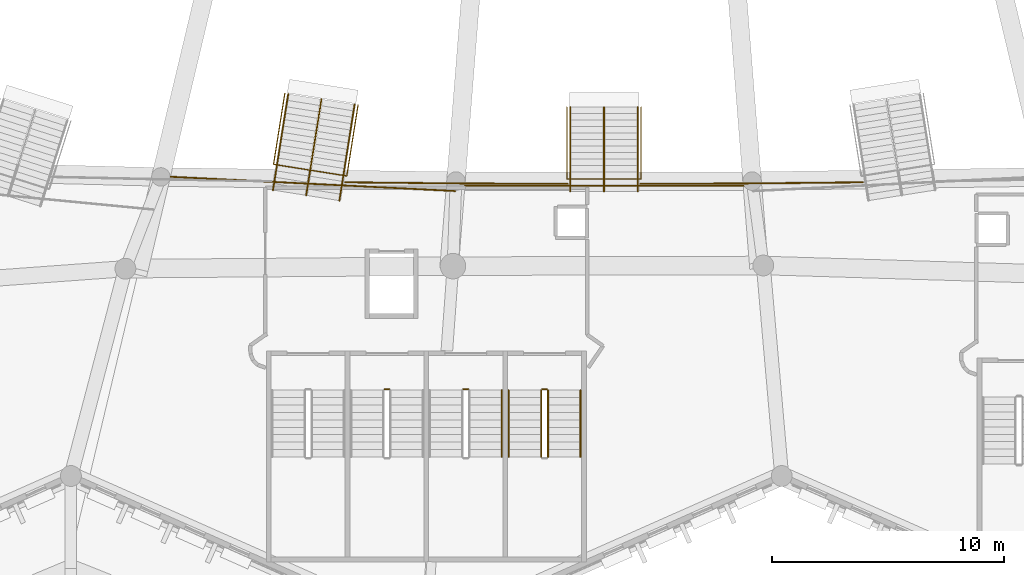
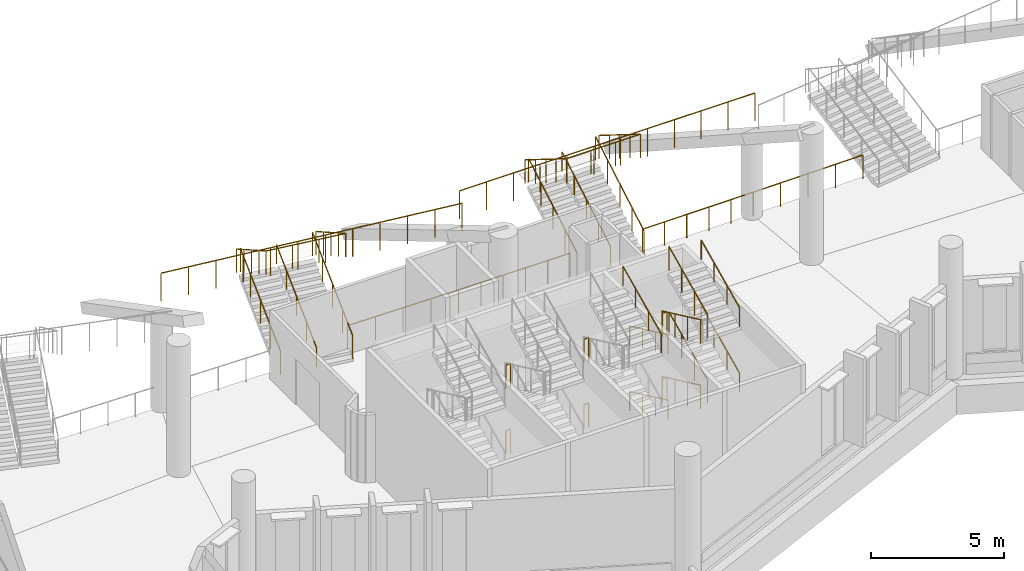
# One storey, part 119 of 173: 27 railings.
"""IFC4 building model written with IfcOpenShell, lengths in metres."""

import ifcopenshell
import ifcopenshell.guid

model = None  # the IFC model being written
_history = None  # IfcOwnerHistory: only IFC2X3 demands one
_inside = {}  # id of a spatial element -> (the spatial element, [elements in it])
_under = {}  # id of a project, library or spatial element -> (it, [spatial elements below it])
_declared = {}  # id of a project -> (the project, [libraries it declares])
_typed = {}  # id of a type object -> (the type object, [elements of that type])
_made_of = {}  # id of a material, layer set ... -> (it, [elements and type objects made of it])


def new_model(schema):
    """Start an empty IFC model of exactly this schema.

    Asked for "IFC4X3", IfcOpenShell would pick the latest addendum, in which some entities
    have other attributes; the version numbers below select the first issue.
    IFC2X3 requires an IfcOwnerHistory on every rooted entity: one is made here for all.
    """
    global model, _history
    if schema == "IFC4X3":
        model = ifcopenshell.file(schema_version=(4, 3, 0, 0))
    else:
        model = ifcopenshell.file(schema=schema)
    _inside.clear()
    _under.clear()
    _declared.clear()
    _typed.clear()
    _made_of.clear()
    _history = None
    if model.schema == "IFC2X3":
        org = make("IfcOrganization", Name="unknown")
        user = make(
            "IfcPersonAndOrganization",
            ThePerson=make("IfcPerson", FamilyName="unknown"),
            TheOrganization=org,
        )
        app = make(
            "IfcApplication",
            ApplicationDeveloper=org,
            Version="unknown",
            ApplicationFullName="unknown",
            ApplicationIdentifier="unknown",
        )
        _history = make(
            "IfcOwnerHistory",
            OwningUser=user,
            OwningApplication=app,
            ChangeAction="ADDED",
            CreationDate=0,
        )
    return model


def make(cls, **values):
    """One entity of the class cls with the attributes given. An attribute that is None is left unset."""
    return model.create_entity(
        cls, **{name: value for name, value in values.items() if value is not None}
    )


def rooted(cls, **values):
    """An entity with a GlobalId (a new one), such as an element, a storey or a relation."""
    return make(cls, GlobalId=ifcopenshell.guid.new(), OwnerHistory=_history, **values)


def si_unit(unit_type, name, prefix=None):
    """IfcSIUnit, for example si_unit("LENGTHUNIT", "METRE", prefix="MILLI")."""
    return make("IfcSIUnit", UnitType=unit_type, Prefix=prefix, Name=name)


def assignment(units):
    """IfcUnitAssignment: the units of a project."""
    return None if units is None else make("IfcUnitAssignment", Units=units)


def point(xyz):
    """IfcCartesianPoint."""
    return None if xyz is None else make("IfcCartesianPoint", Coordinates=xyz)


def direction(xyz):
    """IfcDirection."""
    return None if xyz is None else make("IfcDirection", DirectionRatios=xyz)


def frame(location, z_axis=None, x_axis=None):
    """IfcAxis2Placement3D, a coordinate frame: its origin and axes. An axis left out is left unset."""
    return make(
        "IfcAxis2Placement3D",
        Location=point(location),
        Axis=direction(z_axis),
        RefDirection=direction(x_axis),
    )


def frame_2d(location, x_axis=None):
    """IfcAxis2Placement2D, a coordinate frame in the plane: its origin and x axis."""
    return make(
        "IfcAxis2Placement2D", Location=point(location), RefDirection=direction(x_axis)
    )


def origin():
    """The frame at (0, 0, 0) with its axes left unset."""
    return frame((0.0, 0.0, 0.0))


def origin_2d():
    """The frame at (0, 0) in the plane with its x axis left unset."""
    return frame_2d((0.0, 0.0))


def place(relative_to, where):
    """IfcLocalPlacement: puts the frame where relative to a parent placement (None: the world)."""
    return make(
        "IfcLocalPlacement", PlacementRelTo=relative_to, RelativePlacement=where
    )


def context(
    kind, dimensions, precision=None, world=None, true_north=None, identifier=None
):
    """IfcGeometricRepresentationContext, for example the 3D "Model" context."""
    return make(
        "IfcGeometricRepresentationContext",
        ContextIdentifier=identifier,
        ContextType=kind,
        CoordinateSpaceDimension=dimensions,
        Precision=precision,
        WorldCoordinateSystem=world,
        TrueNorth=true_north,
    )


def subcontext(parent, identifier, kind, view, scale=None):
    """IfcGeometricRepresentationSubContext, for example "Body" below "Model"."""
    return make(
        "IfcGeometricRepresentationSubContext",
        ContextIdentifier=identifier,
        ContextType=kind,
        ParentContext=parent,
        TargetScale=scale,
        TargetView=view,
    )


def project(units=None, contexts=None):
    """IfcProject with its units and contexts."""
    return rooted(
        "IfcProject",
        Name="project",
        RepresentationContexts=contexts,
        UnitsInContext=assignment(units),
    )


def spatial(cls, under=None, at=None, **own):
    """A site, building, storey or space (cls), placed at a placement, below another one or the project."""
    s = rooted(cls, ObjectPlacement=at, **own)
    if under is not None:
        _under.setdefault(under.id(), (under, []))[1].append(s)
    return s


def profile(cls, at=None, kind="AREA", **sizes):
    """A parametric profile (cls). Its sizes go by their IFC names, for example OverallWidth=200.0."""
    return make(cls, ProfileType=kind, Position=at, **sizes)


def circle(**sizes):
    """IfcCircleProfileDef."""
    return profile("IfcCircleProfileDef", **sizes)


def extrude(swept, where, along, depth):
    """IfcExtrudedAreaSolid: the profile swept, set in the frame where, extruded along a direction by depth."""
    return make(
        "IfcExtrudedAreaSolid",
        SweptArea=swept,
        Position=where,
        ExtrudedDirection=direction(along),
        Depth=depth,
    )


def shape(context_of_items, identifier, shape_type, items):
    """IfcShapeRepresentation: the items that make up one representation, for example the "Body"."""
    return make(
        "IfcShapeRepresentation",
        ContextOfItems=context_of_items,
        RepresentationIdentifier=identifier,
        RepresentationType=shape_type,
        Items=items,
    )


def material(Name=None, Category=None):
    """IfcMaterial."""
    return make("IfcMaterial", Name=Name, Category=Category)


def made_of(thing, what):
    """Note that an element or type object is made of a material, layer set ...; save() writes the relation."""
    if what is not None:
        _made_of.setdefault(what.id(), (what, []))[1].append(thing)
    return thing


def type_object(cls, material=None, **own):
    """A type object (cls), such as IfcWallType, which elements share."""
    return made_of(rooted(cls, **own), material)


def element(
    cls,
    number,
    at=None,
    inside=None,
    cuts=None,
    type_object=None,
    material=None,
    context=None,
    identifier="Body",
    shape_type=None,
    held_by="IfcProductDefinitionShape",
    body=None,
    shapes=None,
    **own,
):
    """One element of the class cls, such as IfcWall. Its Tag is "e" and its number.

    at: its placement. inside: the storey or other place that contains it. cuts: it is an
    opening in that element (IfcRelVoidsElement). A single representation is given by context,
    identifier, shape_type and body (its items); several are given by shapes. held_by: the class
    of the entity that holds the representations. save() writes the other relations.
    """
    e = rooted(cls, Tag="e%d" % number, ObjectPlacement=at, **own)
    if body is not None:
        shapes = [shape(context, identifier, shape_type, body)]
    if shapes is not None:
        e.Representation = make(held_by, Representations=shapes)
    if inside is not None:
        _inside.setdefault(inside.id(), (inside, []))[1].append(e)
    if cuts is not None:
        rooted(
            "IfcRelVoidsElement", RelatingBuildingElement=cuts, RelatedOpeningElement=e
        )
    if type_object is not None:
        _typed.setdefault(type_object.id(), (type_object, []))[1].append(e)
    return made_of(e, material)


def aggregate(whole, parts):
    """IfcRelAggregates: a whole, such as a stair, and the parts it consists of."""
    return rooted("IfcRelAggregates", RelatingObject=whole, RelatedObjects=parts)


def save(model, path):
    """Write the relations noted so far, then the file.

    IfcRelAggregates (storeys below a building ...), IfcRelContainedInSpatialStructure (elements
    in a storey), IfcRelDefinesByType, IfcRelAssociatesMaterial and IfcRelDeclares: one each for
    every whole, place, type object, material and project.
    """
    for whole, parts in _under.values():
        aggregate(whole, parts)
    for where, things in _inside.values():
        rooted(
            "IfcRelContainedInSpatialStructure",
            RelatedElements=things,
            RelatingStructure=where,
        )
    for kind, things in _typed.values():
        rooted("IfcRelDefinesByType", RelatedObjects=things, RelatingType=kind)
    for what, things in _made_of.values():
        rooted("IfcRelAssociatesMaterial", RelatedObjects=things, RelatingMaterial=what)
    for by, libraries in _declared.values():
        rooted("IfcRelDeclares", RelatingContext=by, RelatedDefinitions=libraries)
    model.write(path)


model = new_model("IFC4")

# Units and contexts
model_context = context("Model", 3, precision=1e-05, world=origin(), true_north=direction((0.0, 1.0)))
body_context = subcontext(model_context, "Body", "Model", "MODEL_VIEW")
ifc_project = project(units=[si_unit("LENGTHUNIT", "METRE"), si_unit("AREAUNIT", "SQUARE_METRE"), si_unit("VOLUMEUNIT", "CUBIC_METRE"), si_unit("PLANEANGLEUNIT", "RADIAN"), si_unit("MASSUNIT", "GRAM", prefix="KILO")], contexts=[model_context])

# Site, building, storey
site_placement = place(None, origin())
site = spatial("IfcSite", under=ifc_project, at=site_placement, CompositionType="ELEMENT")
building_placement = place(site_placement, origin())
building = spatial("IfcBuilding", under=site, at=building_placement, Name="Meseta Stadium", CompositionType="ELEMENT")
storey_placement = place(building_placement, frame((0.0, 0.0, 18.0)))
storey = spatial("IfcBuildingStorey", under=building, at=storey_placement, Name="L03", CompositionType="ELEMENT", Elevation=18.0)

# Railings
ifc_material_1 = material(Name="Steel S355", Category="steel")
railing_type_1 = type_object("IfcRailingType", Name="Plate edge guard 1100", PredefinedType="GUARDRAIL", material=ifc_material_1)
railing_1_placement = place(storey_placement, frame((-11.171142578125, -85.928955078125, 0.0)))
element("IfcRailing", 1, at=railing_1_placement, inside=storey, type_object=railing_type_1, Name="L03 inner edge guard 47", PredefinedType="GUARDRAIL", context=body_context, shape_type="SweptSolid", body=[
    extrude(circle(Radius=0.02490234375, at=origin_2d()), frame((0.0, 0.0, 1.0751953125), z_axis=(0.999949968022, -0.010003072206, 0.0), x_axis=(0.010003072206, 0.999949968022, 0.0)), (0.0, 0.0, 1.0), 4.78369140625),
    extrude(circle(Radius=0.02490234375, at=origin_2d()), frame((4.783447265625, -0.0478515625, 1.0751953125), z_axis=(0.999990281126, -0.004408815409, 0.0), x_axis=(0.004408815409, 0.999990281126, 0.0)), (0.0, 0.0, 1.0), 4.817626953125),
    extrude(circle(Radius=0.02001953125, at=origin_2d()), origin(), (0.0, 0.0, 1.0), 1.050048828125),
    extrude(circle(Radius=0.02001953125, at=origin_2d()), frame((1.19580078125, -0.011962890625, 0.0)), (0.0, 0.0, 1.0), 1.050048828125),
    extrude(circle(Radius=0.02001953125, at=origin_2d()), frame((2.3916015625, -0.02392578125, 0.0)), (0.0, 0.0, 1.0), 1.050048828125),
    extrude(circle(Radius=0.02001953125, at=origin_2d()), frame((3.587646484375, -0.035888671875, 0.0)), (0.0, 0.0, 1.0), 1.050048828125),
    extrude(circle(Radius=0.02001953125, at=origin_2d()), frame((4.783447265625, -0.0478515625, 0.0)), (0.0, 0.0, 1.0), 1.050048828125),
    extrude(circle(Radius=0.02001953125, at=origin_2d()), frame((5.7470703125, -0.052001953125, 0.0)), (0.0, 0.0, 1.0), 1.050048828125),
    extrude(circle(Radius=0.02001953125, at=origin_2d()), frame((6.71044921875, -0.056396484375, 0.0)), (0.0, 0.0, 1.0), 1.050048828125),
    extrude(circle(Radius=0.02001953125, at=origin_2d()), frame((7.674072265625, -0.060546875, 0.0)), (0.0, 0.0, 1.0), 1.050048828125),
    extrude(circle(Radius=0.02001953125, at=origin_2d()), frame((8.637451171875, -0.06494140625, 0.0)), (0.0, 0.0, 1.0), 1.050048828125),
    extrude(circle(Radius=0.02001953125, at=origin_2d()), frame((9.60107421875, -0.069091796875, 0.0)), (0.0, 0.0, 1.0), 1.050048828125),
])
railing_2_placement = place(storey_placement, frame((1.570068359375, -85.998046875, 0.0)))
element("IfcRailing", 2, at=railing_2_placement, inside=storey, type_object=railing_type_1, Name="L03 inner edge guard 48", PredefinedType="GUARDRAIL", context=body_context, shape_type="SweptSolid", body=[
    extrude(circle(Radius=0.02490234375, at=origin_2d()), frame((0.0, 0.0, 1.0751953125), z_axis=(0.999990281126, 0.004408815409, 0.0), x_axis=(-0.004408815409, 0.999990281126, 0.0)), (0.0, 0.0, 1.0), 4.817626953125),
    extrude(circle(Radius=0.02490234375, at=origin_2d()), frame((4.817626953125, 0.021240234375, 1.0751953125), z_axis=(0.999949968022, 0.010003072206, 0.0), x_axis=(-0.010003072206, 0.999949968022, 0.0)), (0.0, 0.0, 1.0), 4.78369140625),
    extrude(circle(Radius=0.02001953125, at=origin_2d()), origin(), (0.0, 0.0, 1.0), 1.050048828125),
    extrude(circle(Radius=0.02001953125, at=origin_2d()), frame((0.963623046875, 0.004150390625, 0.0)), (0.0, 0.0, 1.0), 1.050048828125),
    extrude(circle(Radius=0.02001953125, at=origin_2d()), frame((1.927001953125, 0.008544921875, 0.0)), (0.0, 0.0, 1.0), 1.050048828125),
    extrude(circle(Radius=0.02001953125, at=origin_2d()), frame((2.890625, 0.0126953125, 0.0)), (0.0, 0.0, 1.0), 1.050048828125),
    extrude(circle(Radius=0.02001953125, at=origin_2d()), frame((3.85400390625, 0.01708984375, 0.0)), (0.0, 0.0, 1.0), 1.050048828125),
    extrude(circle(Radius=0.02001953125, at=origin_2d()), frame((4.817626953125, 0.021240234375, 0.0)), (0.0, 0.0, 1.0), 1.050048828125),
    extrude(circle(Radius=0.02001953125, at=origin_2d()), frame((6.013427734375, 0.033203125, 0.0)), (0.0, 0.0, 1.0), 1.050048828125),
    extrude(circle(Radius=0.02001953125, at=origin_2d()), frame((7.20947265625, 0.045166015625, 0.0)), (0.0, 0.0, 1.0), 1.050048828125),
    extrude(circle(Radius=0.02001953125, at=origin_2d()), frame((8.4052734375, 0.05712890625, 0.0)), (0.0, 0.0, 1.0), 1.050048828125),
    extrude(circle(Radius=0.02001953125, at=origin_2d()), frame((9.60107421875, 0.069091796875, 0.0)), (0.0, 0.0, 1.0), 1.050048828125),
])
ifc_material_2 = material(Name="Steel S355", Category="steel")
railing_type_2 = type_object("IfcRailingType", Name="Stair guard 1100", PredefinedType="GUARDRAIL", material=ifc_material_2)
for number, where, name in (
    (3, (-9.466552734375, -94.85009765625, 3.0), "ST94 L03 guard 4"),
    (4, (-9.466552734375, -94.85009765625, 0.0), "ST94 L03 guard 8"),
    (5, (-6.066650390625, -94.85009765625, 3.0), "ST95 L03 guard 4"),
    (6, (-6.066650390625, -94.85009765625, 0.0), "ST95 L03 guard 8"),
):
    element("IfcRailing", number, at=place(storey_placement, frame(where)), inside=storey, type_object=railing_type_2, Name=name, PredefinedType="GUARDRAIL", context=body_context, shape_type="SweptSolid", body=[
        extrude(circle(Radius=0.02392578125, at=origin_2d()), frame((0.0, 0.0, 1.076171875), z_axis=(1.0, 0.0, 0.0), x_axis=(0.0, 1.0, 0.0)), (0.0, 0.0, 1.0), 0.199951171875),
        extrude(circle(Radius=0.02099609375, at=origin_2d()), origin(), (0.0, 0.0, 1.0), 1.052001953125),
        extrude(circle(Radius=0.02099609375, at=origin_2d()), frame((0.199951171875, 0.0, 0.0)), (0.0, 0.0, 1.0), 1.052001953125),
    ])
railing_3_placement = place(storey_placement, frame((-2.716552734375, -94.89990234375, 0.14990234375)))
element("IfcRailing", 7, at=railing_3_placement, inside=storey, type_object=railing_type_2, Name="ST96 L03 guard 1", PredefinedType="GUARDRAIL", context=body_context, shape_type="SweptSolid", body=[
    extrude(circle(Radius=0.02392578125, at=origin_2d()), frame((0.0, 0.0, 1.076171875), z_axis=(0.0, -0.905454327043, 0.424443708447), x_axis=(1.0, 0.0, 0.0)), (0.0, 0.0, 1.0), 3.180908203125),
    extrude(circle(Radius=0.02099609375, at=origin_2d()), origin(), (0.0, 0.0, 1.0), 1.052001953125),
    extrude(circle(Radius=0.02099609375, at=origin_2d()), frame((0.0, -0.9599609375, 0.449951171875)), (0.0, 0.0, 1.0), 1.052001953125),
    extrude(circle(Radius=0.02099609375, at=origin_2d()), frame((0.0, -1.920166015625, 0.900146484375)), (0.0, 0.0, 1.0), 1.052001953125),
    extrude(circle(Radius=0.02099609375, at=origin_2d()), frame((0.0, -2.880126953125, 1.35009765625)), (0.0, 0.0, 1.0), 1.052001953125),
])
railing_4_placement = place(storey_placement, frame((-2.416748046875, -97.780029296875, 1.64990234375)))
element("IfcRailing", 8, at=railing_4_placement, inside=storey, type_object=railing_type_2, Name="ST96 L03 guard 3", PredefinedType="GUARDRAIL", context=body_context, shape_type="SweptSolid", body=[
    extrude(circle(Radius=0.02392578125, at=origin_2d()), frame((0.0, 0.0, 1.076171875), z_axis=(0.0, 0.905454327043, 0.424443708447), x_axis=(-1.0, 0.0, 0.0)), (0.0, 0.0, 1.0), 3.180908203125),
    extrude(circle(Radius=0.02099609375, at=origin_2d()), origin(), (0.0, 0.0, 1.0), 1.052001953125),
    extrude(circle(Radius=0.02099609375, at=origin_2d()), frame((0.0, 0.9599609375, 0.449951171875)), (0.0, 0.0, 1.0), 1.052001953125),
    extrude(circle(Radius=0.02099609375, at=origin_2d()), frame((0.0, 1.920166015625, 0.900146484375)), (0.0, 0.0, 1.0), 1.052001953125),
    extrude(circle(Radius=0.02099609375, at=origin_2d()), frame((0.0, 2.880126953125, 1.35009765625)), (0.0, 0.0, 1.0), 1.052001953125),
])
railing_5_placement = place(storey_placement, frame((-2.666748046875, -94.85009765625, 3.0)))
element("IfcRailing", 9, at=railing_5_placement, inside=storey, type_object=railing_type_2, Name="ST96 L03 guard 4", PredefinedType="GUARDRAIL", context=body_context, shape_type="SweptSolid", body=[
    extrude(circle(Radius=0.02392578125, at=origin_2d()), frame((0.0, 0.0, 1.076171875), z_axis=(1.0, 0.0, 0.0), x_axis=(0.0, 1.0, 0.0)), (0.0, 0.0, 1.0), 0.2001953125),
    extrude(circle(Radius=0.02099609375, at=origin_2d()), origin(), (0.0, 0.0, 1.0), 1.052001953125),
    extrude(circle(Radius=0.02099609375, at=origin_2d()), frame((0.2001953125, 0.0, 0.0)), (0.0, 0.0, 1.0), 1.052001953125),
])
railing_6_placement = place(storey_placement, frame((-2.716552734375, -94.89990234375, 3.14990234375)))
element("IfcRailing", 10, at=railing_6_placement, inside=storey, type_object=railing_type_2, Name="ST96 L03 guard 5", PredefinedType="GUARDRAIL", context=body_context, shape_type="SweptSolid", body=[
    extrude(circle(Radius=0.02392578125, at=origin_2d()), frame((0.0, 0.0, 1.076171875), z_axis=(0.0, -0.905454327043, 0.424443708447), x_axis=(1.0, 0.0, 0.0)), (0.0, 0.0, 1.0), 3.180908203125),
    extrude(circle(Radius=0.02099609375, at=origin_2d()), origin(), (0.0, 0.0, 1.0), 1.052001953125),
    extrude(circle(Radius=0.02099609375, at=origin_2d()), frame((0.0, -0.9599609375, 0.449951171875)), (0.0, 0.0, 1.0), 1.052001953125),
    extrude(circle(Radius=0.02099609375, at=origin_2d()), frame((0.0, -1.920166015625, 0.900146484375)), (0.0, 0.0, 1.0), 1.052001953125),
    extrude(circle(Radius=0.02099609375, at=origin_2d()), frame((0.0, -2.880126953125, 1.35009765625)), (0.0, 0.0, 1.0), 1.052001953125),
])
railing_7_placement = place(storey_placement, frame((-2.416748046875, -97.780029296875, 4.64990234375)))
element("IfcRailing", 11, at=railing_7_placement, inside=storey, type_object=railing_type_2, Name="ST96 L03 guard 7", PredefinedType="GUARDRAIL", context=body_context, shape_type="SweptSolid", body=[
    extrude(circle(Radius=0.02392578125, at=origin_2d()), frame((0.0, 0.0, 1.076171875), z_axis=(0.0, 0.905454327043, 0.424443708447), x_axis=(-1.0, 0.0, 0.0)), (0.0, 0.0, 1.0), 3.180908203125),
    extrude(circle(Radius=0.02099609375, at=origin_2d()), origin(), (0.0, 0.0, 1.0), 1.052001953125),
    extrude(circle(Radius=0.02099609375, at=origin_2d()), frame((0.0, 0.9599609375, 0.449951171875)), (0.0, 0.0, 1.0), 1.052001953125),
    extrude(circle(Radius=0.02099609375, at=origin_2d()), frame((0.0, 1.920166015625, 0.900146484375)), (0.0, 0.0, 1.0), 1.052001953125),
    extrude(circle(Radius=0.02099609375, at=origin_2d()), frame((0.0, 2.880126953125, 1.35009765625)), (0.0, 0.0, 1.0), 1.052001953125),
])
railing_8_placement = place(storey_placement, frame((-2.666748046875, -94.85009765625, 0.0)))
element("IfcRailing", 12, at=railing_8_placement, inside=storey, type_object=railing_type_2, Name="ST96 L03 guard 8", PredefinedType="GUARDRAIL", context=body_context, shape_type="SweptSolid", body=[
    extrude(circle(Radius=0.02392578125, at=origin_2d()), frame((0.0, 0.0, 1.076171875), z_axis=(1.0, 0.0, 0.0), x_axis=(0.0, 1.0, 0.0)), (0.0, 0.0, 1.0), 0.2001953125),
    extrude(circle(Radius=0.02099609375, at=origin_2d()), origin(), (0.0, 0.0, 1.0), 1.052001953125),
    extrude(circle(Radius=0.02099609375, at=origin_2d()), frame((0.2001953125, 0.0, 0.0)), (0.0, 0.0, 1.0), 1.052001953125),
])
ifc_material_3 = material(Name="Steel S355", Category="steel")
railing_type_3 = type_object("IfcRailingType", Name="Stair handrail 900", PredefinedType="HANDRAIL", material=ifc_material_3)
railing_9_placement = place(storey_placement, frame((-4.416748046875, -97.780029296875, 4.64990234375)))
element("IfcRailing", 13, at=railing_9_placement, inside=storey, type_object=railing_type_3, Name="ST95 L03 handrail 4", PredefinedType="HANDRAIL", context=body_context, shape_type="SweptSolid", body=[
    extrude(circle(Radius=0.02392578125, at=origin_2d()), frame((0.0, 0.0, 0.8759765625), z_axis=(0.0, 0.905454327043, 0.424443708447), x_axis=(-1.0, 0.0, 0.0)), (0.0, 0.0, 1.0), 3.180908203125),
    extrude(circle(Radius=0.02099609375, at=origin_2d()), origin(), (0.0, 0.0, 1.0), 0.851806640625),
    extrude(circle(Radius=0.02099609375, at=origin_2d()), frame((0.0, 0.9599609375, 0.449951171875)), (0.0, 0.0, 1.0), 0.851806640625),
    extrude(circle(Radius=0.02099609375, at=origin_2d()), frame((0.0, 1.920166015625, 0.900146484375)), (0.0, 0.0, 1.0), 0.851806640625),
    extrude(circle(Radius=0.02099609375, at=origin_2d()), frame((0.0, 2.880126953125, 1.35009765625)), (0.0, 0.0, 1.0), 0.851806640625),
])
railing_10_placement = place(storey_placement, frame((-4.11669921875, -94.89990234375, 0.14990234375)))
element("IfcRailing", 14, at=railing_10_placement, inside=storey, type_object=railing_type_3, Name="ST96 L03 handrail 1", PredefinedType="HANDRAIL", context=body_context, shape_type="SweptSolid", body=[
    extrude(circle(Radius=0.02392578125, at=origin_2d()), frame((0.0, 0.0, 0.8759765625), z_axis=(0.0, -0.905454327043, 0.424443708447), x_axis=(1.0, 0.0, 0.0)), (0.0, 0.0, 1.0), 3.180908203125),
    extrude(circle(Radius=0.02099609375, at=origin_2d()), origin(), (0.0, 0.0, 1.0), 0.851806640625),
    extrude(circle(Radius=0.02099609375, at=origin_2d()), frame((0.0, -0.9599609375, 0.449951171875)), (0.0, 0.0, 1.0), 0.851806640625),
    extrude(circle(Radius=0.02099609375, at=origin_2d()), frame((0.0, -1.920166015625, 0.900146484375)), (0.0, 0.0, 1.0), 0.851806640625),
    extrude(circle(Radius=0.02099609375, at=origin_2d()), frame((0.0, -2.880126953125, 1.35009765625)), (0.0, 0.0, 1.0), 0.851806640625),
])
railing_11_placement = place(storey_placement, frame((-1.0166015625, -97.780029296875, 1.64990234375)))
element("IfcRailing", 15, at=railing_11_placement, inside=storey, type_object=railing_type_3, Name="ST96 L03 handrail 2", PredefinedType="HANDRAIL", context=body_context, shape_type="SweptSolid", body=[
    extrude(circle(Radius=0.02392578125, at=origin_2d()), frame((0.0, 0.0, 0.8759765625), z_axis=(0.0, 0.905454327043, 0.424443708447), x_axis=(-1.0, 0.0, 0.0)), (0.0, 0.0, 1.0), 3.180908203125),
    extrude(circle(Radius=0.02099609375, at=origin_2d()), origin(), (0.0, 0.0, 1.0), 0.851806640625),
    extrude(circle(Radius=0.02099609375, at=origin_2d()), frame((0.0, 0.9599609375, 0.449951171875)), (0.0, 0.0, 1.0), 0.851806640625),
    extrude(circle(Radius=0.02099609375, at=origin_2d()), frame((0.0, 1.920166015625, 0.900146484375)), (0.0, 0.0, 1.0), 0.851806640625),
    extrude(circle(Radius=0.02099609375, at=origin_2d()), frame((0.0, 2.880126953125, 1.35009765625)), (0.0, 0.0, 1.0), 0.851806640625),
])
railing_12_placement = place(storey_placement, frame((-4.11669921875, -94.89990234375, 3.14990234375)))
element("IfcRailing", 16, at=railing_12_placement, inside=storey, type_object=railing_type_3, Name="ST96 L03 handrail 3", PredefinedType="HANDRAIL", context=body_context, shape_type="SweptSolid", body=[
    extrude(circle(Radius=0.02392578125, at=origin_2d()), frame((0.0, 0.0, 0.8759765625), z_axis=(0.0, -0.905454327043, 0.424443708447), x_axis=(1.0, 0.0, 0.0)), (0.0, 0.0, 1.0), 3.180908203125),
    extrude(circle(Radius=0.02099609375, at=origin_2d()), origin(), (0.0, 0.0, 1.0), 0.851806640625),
    extrude(circle(Radius=0.02099609375, at=origin_2d()), frame((0.0, -0.9599609375, 0.449951171875)), (0.0, 0.0, 1.0), 0.851806640625),
    extrude(circle(Radius=0.02099609375, at=origin_2d()), frame((0.0, -1.920166015625, 0.900146484375)), (0.0, 0.0, 1.0), 0.851806640625),
    extrude(circle(Radius=0.02099609375, at=origin_2d()), frame((0.0, -2.880126953125, 1.35009765625)), (0.0, 0.0, 1.0), 0.851806640625),
])
railing_13_placement = place(storey_placement, frame((-1.0166015625, -97.780029296875, 4.64990234375)))
element("IfcRailing", 17, at=railing_13_placement, inside=storey, type_object=railing_type_3, Name="ST96 L03 handrail 4", PredefinedType="HANDRAIL", context=body_context, shape_type="SweptSolid", body=[
    extrude(circle(Radius=0.02392578125, at=origin_2d()), frame((0.0, 0.0, 0.8759765625), z_axis=(0.0, 0.905454327043, 0.424443708447), x_axis=(-1.0, 0.0, 0.0)), (0.0, 0.0, 1.0), 3.180908203125),
    extrude(circle(Radius=0.02099609375, at=origin_2d()), origin(), (0.0, 0.0, 1.0), 0.851806640625),
    extrude(circle(Radius=0.02099609375, at=origin_2d()), frame((0.0, 0.9599609375, 0.449951171875)), (0.0, 0.0, 1.0), 0.851806640625),
    extrude(circle(Radius=0.02099609375, at=origin_2d()), frame((0.0, 1.920166015625, 0.900146484375)), (0.0, 0.0, 1.0), 0.851806640625),
    extrude(circle(Radius=0.02099609375, at=origin_2d()), frame((0.0, 2.880126953125, 1.35009765625)), (0.0, 0.0, 1.0), 0.851806640625),
])
ifc_material_4 = material(Name="Steel S355", Category="steel")
railing_type_4 = type_object("IfcRailingType", Name="Stand rear guard 1300", PredefinedType="GUARDRAIL", material=ifc_material_4)
railing_14_placement = place(storey_placement, frame((-19.11181640625, -85.669921875, 4.8291015625)))
element("IfcRailing", 18, at=railing_14_placement, inside=storey, type_object=railing_type_4, Name="Stand upper tier rear guard bay 46", PredefinedType="GUARDRAIL", context=body_context, shape_type="SweptSolid", body=[
    extrude(circle(Radius=0.02490234375, at=origin_2d()), frame((0.0, 0.0, 1.27490234375), z_axis=(0.996516209228, -0.04984306383, -0.066866387168), x_axis=(0.049954865883, 0.998751476282, 0.0)), (0.0, 0.0, 1.0), 12.7353515625),
    extrude(circle(Radius=0.02001953125, at=origin_2d()), origin(), (0.0, 0.0, 1.0), 1.25),
    extrude(circle(Radius=0.02001953125, at=origin_2d()), frame((1.15380859375, -0.0576171875, -0.077392578125)), (0.0, 0.0, 1.0), 1.25),
    extrude(circle(Radius=0.02001953125, at=origin_2d()), frame((2.307373046875, -0.115478515625, -0.15478515625)), (0.0, 0.0, 1.0), 1.25),
    extrude(circle(Radius=0.02001953125, at=origin_2d()), frame((3.461181640625, -0.173095703125, -0.232177734375)), (0.0, 0.0, 1.0), 1.25),
    extrude(circle(Radius=0.02001953125, at=origin_2d()), frame((4.614990234375, -0.230712890625, -0.3095703125)), (0.0, 0.0, 1.0), 1.25),
    extrude(circle(Radius=0.02001953125, at=origin_2d()), frame((5.7685546875, -0.28857421875, -0.386962890625)), (0.0, 0.0, 1.0), 1.25),
    extrude(circle(Radius=0.02001953125, at=origin_2d()), frame((6.92236328125, -0.34619140625, -0.464599609375)), (0.0, 0.0, 1.0), 1.25),
    extrude(circle(Radius=0.02001953125, at=origin_2d()), frame((8.075927734375, -0.404052734375, -0.5419921875)), (0.0, 0.0, 1.0), 1.25),
    extrude(circle(Radius=0.02001953125, at=origin_2d()), frame((9.229736328125, -0.461669921875, -0.619384765625)), (0.0, 0.0, 1.0), 1.25),
    extrude(circle(Radius=0.02001953125, at=origin_2d()), frame((10.383544921875, -0.519287109375, -0.69677734375)), (0.0, 0.0, 1.0), 1.25),
    extrude(circle(Radius=0.02001953125, at=origin_2d()), frame((11.537109375, -0.5771484375, -0.774169921875)), (0.0, 0.0, 1.0), 1.25),
    extrude(circle(Radius=0.02001953125, at=origin_2d()), frame((12.69091796875, -0.634765625, -0.8515625)), (0.0, 0.0, 1.0), 1.25),
])
railing_15_placement = place(storey_placement, frame((-6.40283203125, -86.076171875, 4.401611328125)))
element("IfcRailing", 19, at=railing_15_placement, inside=storey, type_object=railing_type_4, Name="Stand upper tier rear guard bay 47", PredefinedType="GUARDRAIL", context=body_context, shape_type="SweptSolid", body=[
    extrude(circle(Radius=0.02490234375, at=origin_2d()), frame((0.0, 0.0, 1.27490234375), z_axis=(1.0, 0.0, 0.0), x_axis=(0.0, 1.0, 0.0)), (0.0, 0.0, 1.0), 12.8056640625),
    extrude(circle(Radius=0.02001953125, at=origin_2d()), origin(), (0.0, 0.0, 1.0), 1.25),
    extrude(circle(Radius=0.02001953125, at=origin_2d()), frame((1.1640625, 0.0, 0.0)), (0.0, 0.0, 1.0), 1.25),
    extrude(circle(Radius=0.02001953125, at=origin_2d()), frame((2.328369140625, 0.0, 0.0)), (0.0, 0.0, 1.0), 1.25),
    extrude(circle(Radius=0.02001953125, at=origin_2d()), frame((3.492431640625, 0.0, 0.0)), (0.0, 0.0, 1.0), 1.25),
    extrude(circle(Radius=0.02001953125, at=origin_2d()), frame((4.656494140625, 0.0, 0.0)), (0.0, 0.0, 1.0), 1.25),
    extrude(circle(Radius=0.02001953125, at=origin_2d()), frame((5.82080078125, 0.0, 0.0)), (0.0, 0.0, 1.0), 1.25),
    extrude(circle(Radius=0.02001953125, at=origin_2d()), frame((6.98486328125, 0.0, 0.0)), (0.0, 0.0, 1.0), 1.25),
    extrude(circle(Radius=0.02001953125, at=origin_2d()), frame((8.149169921875, 0.0, 0.0)), (0.0, 0.0, 1.0), 1.25),
    extrude(circle(Radius=0.02001953125, at=origin_2d()), frame((9.313232421875, 0.0, 0.0)), (0.0, 0.0, 1.0), 1.25),
    extrude(circle(Radius=0.02001953125, at=origin_2d()), frame((10.477294921875, 0.0, 0.0)), (0.0, 0.0, 1.0), 1.25),
    extrude(circle(Radius=0.02001953125, at=origin_2d()), frame((11.6416015625, 0.0, 0.0)), (0.0, 0.0, 1.0), 1.25),
    extrude(circle(Radius=0.02001953125, at=origin_2d()), frame((12.8056640625, 0.0, 0.0)), (0.0, 0.0, 1.0), 1.25),
])
ifc_material_5 = material(Name="Steel S355", Category="steel")
railing_type_5 = type_object("IfcRailingType", Name="Vomitory slot guard 1100", PredefinedType="GUARDRAIL", material=ifc_material_5)
railing_16_placement = place(storey_placement, frame((-10.611328125, -82.593994140625, 2.097900390625)))
element("IfcRailing", 20, at=railing_16_placement, inside=storey, type_object=railing_type_5, Name="Vomitory V-upper-46 slot guard", PredefinedType="GUARDRAIL", context=body_context, shape_type="SweptSolid", body=[
    extrude(circle(Radius=0.02490234375, at=origin_2d()), frame((0.0, 0.0, 1.0751953125), z_axis=(-0.132963749963, -0.83751802526, 0.529985092772), x_axis=(0.987631076604, -0.156795588352, 0.0)), (0.0, 0.0, 1.0), 3.65576171875),
    extrude(circle(Radius=0.02490234375, at=origin_2d()), frame((-0.486083984375, -3.061767578125, 3.0126953125), z_axis=(-0.987644527037, 0.156710842683, 0.0), x_axis=(-0.156710842683, -0.987644527037, 0.0)), (0.0, 0.0, 1.0), 3.199951171875),
    extrude(circle(Radius=0.02490234375, at=origin_2d()), frame((-3.646484375, -2.560302734375, 3.0126953125), z_axis=(0.132963749963, 0.83751802526, -0.529985092772), x_axis=(-0.987631076604, 0.156795588352, 0.0)), (0.0, 0.0, 1.0), 3.65576171875),
    extrude(circle(Radius=0.02001953125, at=origin_2d()), origin(), (0.0, 0.0, 1.0), 1.050048828125),
    extrude(circle(Radius=0.02001953125, at=origin_2d()), frame((-0.12158203125, -0.765380859375, 0.484375)), (0.0, 0.0, 1.0), 1.050048828125),
    extrude(circle(Radius=0.02001953125, at=origin_2d()), frame((-0.2431640625, -1.53076171875, 0.96875)), (0.0, 0.0, 1.0), 1.050048828125),
    extrude(circle(Radius=0.02001953125, at=origin_2d()), frame((-0.364501953125, -2.29638671875, 1.453125)), (0.0, 0.0, 1.0), 1.050048828125),
    extrude(circle(Radius=0.02001953125, at=origin_2d()), frame((-0.486083984375, -3.061767578125, 1.9375)), (0.0, 0.0, 1.0), 1.050048828125),
    extrude(circle(Radius=0.02001953125, at=origin_2d()), frame((-1.53955078125, -2.89453125, 1.9375)), (0.0, 0.0, 1.0), 1.050048828125),
    extrude(circle(Radius=0.02001953125, at=origin_2d()), frame((-2.593017578125, -2.7275390625, 1.9375)), (0.0, 0.0, 1.0), 1.050048828125),
    extrude(circle(Radius=0.02001953125, at=origin_2d()), frame((-3.646484375, -2.560302734375, 1.9375)), (0.0, 0.0, 1.0), 1.050048828125),
    extrude(circle(Radius=0.02001953125, at=origin_2d()), frame((-3.52490234375, -1.794921875, 1.453125)), (0.0, 0.0, 1.0), 1.050048828125),
    extrude(circle(Radius=0.02001953125, at=origin_2d()), frame((-3.4033203125, -1.029296875, 0.96875)), (0.0, 0.0, 1.0), 1.050048828125),
    extrude(circle(Radius=0.02001953125, at=origin_2d()), frame((-3.281982421875, -0.263916015625, 0.484375)), (0.0, 0.0, 1.0), 1.050048828125),
    extrude(circle(Radius=0.02001953125, at=origin_2d()), frame((-3.160400390625, 0.50146484375, 0.0)), (0.0, 0.0, 1.0), 1.050048828125),
])
railing_17_placement = place(storey_placement, frame((1.60009765625, -82.686767578125, 2.283203125)))
element("IfcRailing", 21, at=railing_17_placement, inside=storey, type_object=railing_type_5, Name="Vomitory V-upper-47 slot guard", PredefinedType="GUARDRAIL", context=body_context, shape_type="SweptSolid", body=[
    extrude(circle(Radius=0.02490234375, at=origin_2d()), frame((0.0, 0.0, 1.0751953125), z_axis=(0.0, -0.848005807586, 0.529986934084), x_axis=(1.0, 0.0, 0.0)), (0.0, 0.0, 1.0), 3.65576171875),
    extrude(circle(Radius=0.02490234375, at=origin_2d()), frame((0.0, -3.10009765625, 3.0126953125), z_axis=(-1.0, 0.0, 0.0), x_axis=(0.0, -1.0, 0.0)), (0.0, 0.0, 1.0), 3.2001953125),
    extrude(circle(Radius=0.02490234375, at=origin_2d()), frame((-3.2001953125, -3.10009765625, 3.0126953125), z_axis=(0.0, 0.848005807586, -0.529986934084), x_axis=(-1.0, 0.0, 0.0)), (0.0, 0.0, 1.0), 3.65576171875),
    extrude(circle(Radius=0.02001953125, at=origin_2d()), origin(), (0.0, 0.0, 1.0), 1.050048828125),
    extrude(circle(Radius=0.02001953125, at=origin_2d()), frame((0.0, -0.77490234375, 0.484375)), (0.0, 0.0, 1.0), 1.050048828125),
    extrude(circle(Radius=0.02001953125, at=origin_2d()), frame((0.0, -1.550048828125, 0.96875)), (0.0, 0.0, 1.0), 1.050048828125),
    extrude(circle(Radius=0.02001953125, at=origin_2d()), frame((0.0, -2.3251953125, 1.453125)), (0.0, 0.0, 1.0), 1.050048828125),
    extrude(circle(Radius=0.02001953125, at=origin_2d()), frame((0.0, -3.10009765625, 1.9375)), (0.0, 0.0, 1.0), 1.050048828125),
    extrude(circle(Radius=0.02001953125, at=origin_2d()), frame((-1.066650390625, -3.10009765625, 1.9375)), (0.0, 0.0, 1.0), 1.050048828125),
    extrude(circle(Radius=0.02001953125, at=origin_2d()), frame((-2.133544921875, -3.10009765625, 1.9375)), (0.0, 0.0, 1.0), 1.050048828125),
    extrude(circle(Radius=0.02001953125, at=origin_2d()), frame((-3.2001953125, -3.10009765625, 1.9375)), (0.0, 0.0, 1.0), 1.050048828125),
    extrude(circle(Radius=0.02001953125, at=origin_2d()), frame((-3.2001953125, -2.3251953125, 1.453125)), (0.0, 0.0, 1.0), 1.050048828125),
    extrude(circle(Radius=0.02001953125, at=origin_2d()), frame((-3.2001953125, -1.550048828125, 0.96875)), (0.0, 0.0, 1.0), 1.050048828125),
    extrude(circle(Radius=0.02001953125, at=origin_2d()), frame((-3.2001953125, -0.77490234375, 0.484375)), (0.0, 0.0, 1.0), 1.050048828125),
    extrude(circle(Radius=0.02001953125, at=origin_2d()), frame((-3.2001953125, 0.0, 0.0)), (0.0, 0.0, 1.0), 1.050048828125),
])
ifc_material_6 = material(Name="Steel S355", Category="steel")
railing_type_6 = type_object("IfcRailingType", Name="Vomitory stair guard 1100", PredefinedType="GUARDRAIL", material=ifc_material_6)
for number, where, name in (
    (22, (-14.281982421875, -86.26416015625, 0.131103515625), "Vomitory V-upper-46 guard left"),
    (23, (-11.41796875, -86.71875, 0.131103515625), "Vomitory V-upper-46 guard right"),
):
    element("IfcRailing", number, at=place(storey_placement, frame(where)), inside=storey, type_object=railing_type_6, Name=name, PredefinedType="GUARDRAIL", context=body_context, shape_type="SweptSolid", body=[
        extrude(circle(Radius=0.02490234375, at=origin_2d()), frame((0.0, 0.0, 1.0751953125), z_axis=(0.141973518733, 0.894427903893, 0.424078111574), x_axis=(-0.987635385611, 0.156768444176, 0.0)), (0.0, 0.0, 1.0), 4.637939453125),
        extrude(circle(Radius=0.02001953125, at=origin_2d()), origin(), (0.0, 0.0, 1.0), 1.050048828125),
        extrude(circle(Radius=0.02001953125, at=origin_2d()), frame((0.16455078125, 1.037109375, 0.49169921875)), (0.0, 0.0, 1.0), 1.050048828125),
        extrude(circle(Radius=0.02001953125, at=origin_2d()), frame((0.3291015625, 2.07421875, 0.9833984375)), (0.0, 0.0, 1.0), 1.050048828125),
        extrude(circle(Radius=0.02001953125, at=origin_2d()), frame((0.493896484375, 3.111083984375, 1.47509765625)), (0.0, 0.0, 1.0), 1.050048828125),
        extrude(circle(Radius=0.02001953125, at=origin_2d()), frame((0.658447265625, 4.148193359375, 1.966796875)), (0.0, 0.0, 1.0), 1.050048828125),
    ])
for number, where, name in (
    (24, (-1.449951171875, -86.326904296875, 0.1630859375), "Vomitory V-upper-47 guard left"),
    (25, (1.449951171875, -86.326904296875, 0.1630859375), "Vomitory V-upper-47 guard right"),
):
    element("IfcRailing", number, at=place(storey_placement, frame(where)), inside=storey, type_object=railing_type_6, Name=name, PredefinedType="GUARDRAIL", context=body_context, shape_type="SweptSolid", body=[
        extrude(circle(Radius=0.02490234375, at=origin_2d()), frame((0.0, 0.0, 1.0751953125), z_axis=(0.0, 0.864119230812, 0.503287149589), x_axis=(-1.0, 0.0, 0.0)), (0.0, 0.0, 1.0), 4.212646484375),
        extrude(circle(Radius=0.02001953125, at=origin_2d()), origin(), (0.0, 0.0, 1.0), 1.050048828125),
        extrude(circle(Radius=0.02001953125, at=origin_2d()), frame((0.0, 0.91015625, 0.530029296875)), (0.0, 0.0, 1.0), 1.050048828125),
        extrude(circle(Radius=0.02001953125, at=origin_2d()), frame((0.0, 1.820068359375, 1.06005859375)), (0.0, 0.0, 1.0), 1.050048828125),
        extrude(circle(Radius=0.02001953125, at=origin_2d()), frame((0.0, 2.72998046875, 1.590087890625)), (0.0, 0.0, 1.0), 1.050048828125),
        extrude(circle(Radius=0.02001953125, at=origin_2d()), frame((0.0, 3.64013671875, 2.1201171875)), (0.0, 0.0, 1.0), 1.050048828125),
    ])
ifc_material_7 = material(Name="Steel S355", Category="steel")
railing_type_7 = type_object("IfcRailingType", Name="Vomitory stair handrail 900", PredefinedType="HANDRAIL", material=ifc_material_7)
railing_18_placement = place(storey_placement, frame((-12.85009765625, -86.491455078125, 0.131103515625)))
element("IfcRailing", 26, at=railing_18_placement, inside=storey, type_object=railing_type_7, Name="Vomitory V-upper-46 central handrail", PredefinedType="HANDRAIL", context=body_context, shape_type="SweptSolid", body=[
    extrude(circle(Radius=0.02490234375, at=origin_2d()), frame((0.0, 0.0, 0.875), z_axis=(0.141973518733, 0.894427903893, 0.424078111574), x_axis=(-0.987635385611, 0.156768444176, 0.0)), (0.0, 0.0, 1.0), 4.637939453125),
    extrude(circle(Radius=0.02001953125, at=origin_2d()), origin(), (0.0, 0.0, 1.0), 0.849853515625),
    extrude(circle(Radius=0.02001953125, at=origin_2d()), frame((0.16455078125, 1.037109375, 0.49169921875)), (0.0, 0.0, 1.0), 0.849853515625),
    extrude(circle(Radius=0.02001953125, at=origin_2d()), frame((0.3291015625, 2.07421875, 0.9833984375)), (0.0, 0.0, 1.0), 0.849853515625),
    extrude(circle(Radius=0.02001953125, at=origin_2d()), frame((0.493896484375, 3.111083984375, 1.47509765625)), (0.0, 0.0, 1.0), 0.849853515625),
    extrude(circle(Radius=0.02001953125, at=origin_2d()), frame((0.658447265625, 4.148193359375, 1.966796875)), (0.0, 0.0, 1.0), 0.849853515625),
])
railing_19_placement = place(storey_placement, frame((0.0, -86.326904296875, 0.1630859375)))
element("IfcRailing", 27, at=railing_19_placement, inside=storey, type_object=railing_type_7, Name="Vomitory V-upper-47 central handrail", PredefinedType="HANDRAIL", context=body_context, shape_type="SweptSolid", body=[
    extrude(circle(Radius=0.02490234375, at=origin_2d()), frame((0.0, 0.0, 0.875), z_axis=(0.0, 0.864119230812, 0.503287149589), x_axis=(-1.0, 0.0, 0.0)), (0.0, 0.0, 1.0), 4.212646484375),
    extrude(circle(Radius=0.02001953125, at=origin_2d()), origin(), (0.0, 0.0, 1.0), 0.849853515625),
    extrude(circle(Radius=0.02001953125, at=origin_2d()), frame((0.0, 0.91015625, 0.530029296875)), (0.0, 0.0, 1.0), 0.849853515625),
    extrude(circle(Radius=0.02001953125, at=origin_2d()), frame((0.0, 1.820068359375, 1.06005859375)), (0.0, 0.0, 1.0), 0.849853515625),
    extrude(circle(Radius=0.02001953125, at=origin_2d()), frame((0.0, 2.72998046875, 1.590087890625)), (0.0, 0.0, 1.0), 0.849853515625),
    extrude(circle(Radius=0.02001953125, at=origin_2d()), frame((0.0, 3.64013671875, 2.1201171875)), (0.0, 0.0, 1.0), 0.849853515625),
])

save(model, "model.ifc")
